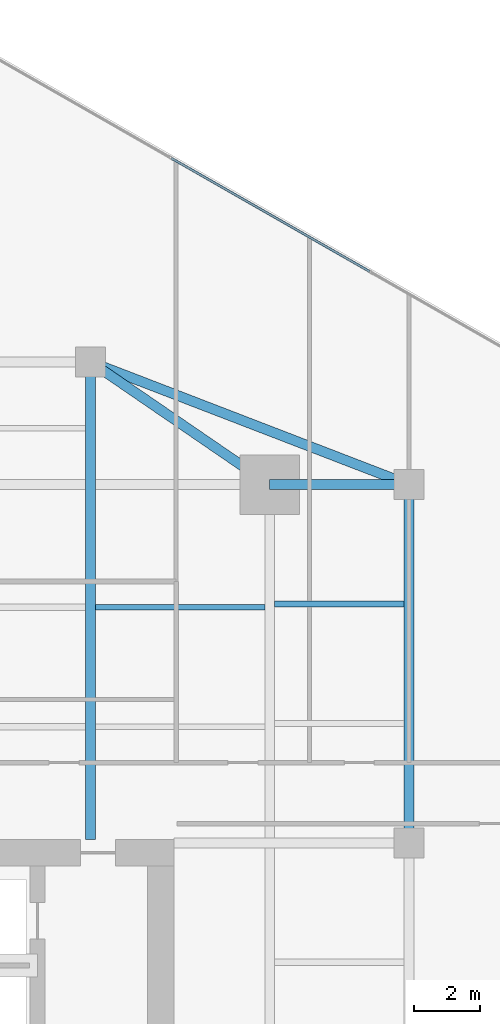
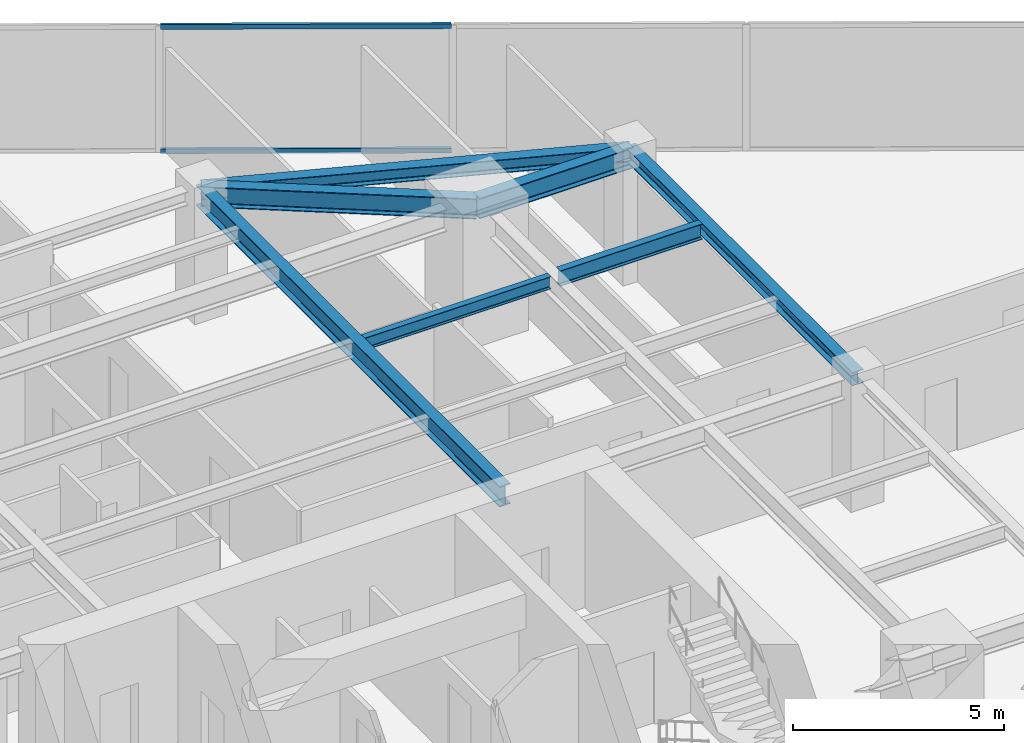
# One storey, part 16 of 24: 7 beams, 2 members, 1 element without a shape of its own.
"""IFC4 building model written with IfcOpenShell, lengths in metres."""

from ifc_helpers import new_model, si_unit, direction, frame, origin, origin_2d, place, context, subcontext, project, spatial, hollow_rectangle, i_section, extrude, source, transform, mapped, material, material_profile, profile_set, type_object, type_shapes, element, aggregate, save


model = new_model("IFC4")

# Units and contexts
model_context = context("Model", 3, precision=1e-05, world=origin(), true_north=direction((0.0, 1.0)))
body_context = subcontext(model_context, "Body", "Model", "MODEL_VIEW")
ifc_project = project(units=[si_unit("LENGTHUNIT", "METRE"), si_unit("AREAUNIT", "SQUARE_METRE"), si_unit("VOLUMEUNIT", "CUBIC_METRE"), si_unit("PLANEANGLEUNIT", "RADIAN"), si_unit("MASSUNIT", "GRAM", prefix="KILO")], contexts=[model_context])

# Site, building, storey
site_placement = place(None, origin())
site = spatial("IfcSite", under=ifc_project, at=site_placement, CompositionType="ELEMENT")
building_placement = place(site_placement, origin())
building = spatial("IfcBuilding", under=site, at=building_placement, Name="Krantzveldt Concourse Tower", CompositionType="ELEMENT")
storey_placement = place(building_placement, frame((0.0, 0.0, 162.0)))
storey = spatial("IfcBuildingStorey", under=building, at=storey_placement, Name="L39", CompositionType="ELEMENT", Elevation=162.0)

# Beams
ifc_material_1 = material(Name="Steel S355JR", Category="steel")
ifc_material_profile_1 = material_profile(ifc_material_1, i_section(OverallWidth=0.300048828125, OverallDepth=0.590087890625, WebThickness=0.012939453125, FlangeThickness=0.02490234375, FilletRadius=0.027099609375, at=origin_2d()), Name="Steel S355JR", Category="steel")
ifc_profile_set_1 = profile_set([ifc_material_profile_1], Name="Steel S355JR - HEA 600")
beam_type_1 = type_object("IfcBeamType", Name="BM-B-HEA600", PredefinedType="BEAM", material=ifc_profile_set_1)
shared_shape_1 = source(origin(), body_context, "Body", "SweptSolid", [
    extrude(i_section(OverallWidth=0.300048828125, OverallDepth=0.590087890625, WebThickness=0.012939453125, FlangeThickness=0.02490234375, FilletRadius=0.027099609375, at=origin_2d()), origin(), (0.0, 0.0, 1.0), 14.39990234375),
])
beam_1_placement = place(storey_placement, frame((41.39990234375, 26.800048828125, 3.375), z_axis=(0.0, 1.0, 0.0), x_axis=(-1.0, 0.0, 0.0)))
element("IfcBeam", 1, at=beam_1_placement, inside=storey, type_object=beam_type_1, Name="L39 Tower Girder BG-CNE", PredefinedType="BEAM", context=body_context, shape_type="MappedRepresentation", body=[
    mapped(shared_shape_1, transform((0.0, 0.0, 0.0), x_axis=(1.0, 0.0, 0.0), y_axis=(0.0, 1.0, 0.0), z_axis=(0.0, 0.0, 1.0), scale=1.0)),
])
shared_shape_2 = source(origin(), body_context, "Body", "SweptSolid", [
    extrude(i_section(OverallWidth=0.300048828125, OverallDepth=0.590087890625, WebThickness=0.012939453125, FlangeThickness=0.02490234375, FilletRadius=0.027099609375, at=origin_2d()), origin(), (0.0, 0.0, 1.0), 4.199951171875),
])
beam_2_placement = place(storey_placement, frame((46.800048828125, 37.5, 3.375), z_axis=(1.0, 0.0, 0.0), x_axis=(0.0, 1.0, 0.0)))
element("IfcBeam", 2, at=beam_2_placement, inside=storey, type_object=beam_type_1, Name="L39 Tower Girder BR-RR3", PredefinedType="BEAM", context=body_context, shape_type="MappedRepresentation", body=[
    mapped(shared_shape_2, transform((0.0, 0.0, 0.0), x_axis=(1.0, 0.0, 0.0), y_axis=(0.0, 1.0, 0.0), z_axis=(0.0, 0.0, 1.0), scale=1.0)),
])
shared_shape_3 = source(origin(), body_context, "Body", "SweptSolid", [
    extrude(i_section(OverallWidth=0.300048828125, OverallDepth=0.590087890625, WebThickness=0.012939453125, FlangeThickness=0.02490234375, FilletRadius=0.027099609375, at=origin_2d()), origin(), (0.0, 0.0, 1.0), 6.546142578125),
])
type_shapes(beam_type_1, [shared_shape_1, shared_shape_2, shared_shape_3])
beam_3_placement = place(storey_placement, frame((46.800048828125, 37.5, 3.375), z_axis=(-0.824942999484, 0.565215930068, 0.0), x_axis=(-0.565215930068, -0.824942999484, 0.0)))
element("IfcBeam", 3, at=beam_3_placement, inside=storey, type_object=beam_type_1, Name="L39 Tower Girder BR-RR4", PredefinedType="BEAM", context=body_context, shape_type="MappedRepresentation", body=[
    mapped(shared_shape_3, transform((0.0, 0.0, 0.0), x_axis=(1.0, 0.0, 0.0), y_axis=(0.0, 1.0, 0.0), z_axis=(0.0, 0.0, 1.0), scale=1.0)),
])
ifc_material_profile_2 = material_profile(ifc_material_1, i_section(OverallWidth=0.300048828125, OverallDepth=0.389892578125, WebThickness=0.010986328125, FlangeThickness=0.01904296875, FilletRadius=0.027099609375, at=origin_2d()), Name="Steel S355JR", Category="steel")
ifc_profile_set_2 = profile_set([ifc_material_profile_2], Name="Steel S355JR - HEA 400")
beam_type_2 = type_object("IfcBeamType", Name="BM-SP-HEA400", PredefinedType="SPANDREL", material=ifc_profile_set_2)
shared_shape_4 = source(origin(), body_context, "Body", "SweptSolid", [
    extrude(i_section(OverallWidth=0.300048828125, OverallDepth=0.389892578125, WebThickness=0.010986328125, FlangeThickness=0.01904296875, FilletRadius=0.027099609375, at=origin_2d()), origin(), (0.0, 0.0, 1.0), 10.800048828125),
])
beam_4_placement = place(storey_placement, frame((51.0, 37.5, 3.47509765625), z_axis=(0.0, -1.0, 0.0), x_axis=(1.0, 0.0, 0.0)))
element("IfcBeam", 4, at=beam_4_placement, inside=storey, type_object=beam_type_2, Name="L39 Tower Girder SP-R06", PredefinedType="SPANDREL", context=body_context, shape_type="MappedRepresentation", body=[
    mapped(shared_shape_4, transform((0.0, 0.0, 0.0), x_axis=(1.0, 0.0, 0.0), y_axis=(0.0, 1.0, 0.0), z_axis=(0.0, 0.0, 1.0), scale=1.0)),
])
shared_shape_5 = source(origin(), body_context, "Body", "SweptSolid", [
    extrude(i_section(OverallWidth=0.300048828125, OverallDepth=0.389892578125, WebThickness=0.010986328125, FlangeThickness=0.01904296875, FilletRadius=0.027099609375, at=origin_2d()), origin(), (0.0, 0.0, 1.0), 10.288330078125),
])
type_shapes(beam_type_2, [shared_shape_4, shared_shape_5])
beam_5_placement = place(storey_placement, frame((41.39990234375, 41.199951171875, 3.47509765625), z_axis=(0.933097690408, -0.359622997257, 0.0), x_axis=(0.359622997257, 0.933097690408, 0.0)))
element("IfcBeam", 5, at=beam_5_placement, inside=storey, type_object=beam_type_2, Name="L39 Tower Girder SP-R05", PredefinedType="SPANDREL", context=body_context, shape_type="MappedRepresentation", body=[
    mapped(shared_shape_5, transform((0.0, 0.0, 0.0), x_axis=(1.0, 0.0, 0.0), y_axis=(0.0, 1.0, 0.0), z_axis=(0.0, 0.0, 1.0), scale=1.0)),
])
ifc_material_profile_3 = material_profile(ifc_material_1, i_section(OverallWidth=0.169921875, OverallDepth=0.360107421875, WebThickness=0.008056640625, FlangeThickness=0.0126953125, FilletRadius=0.01806640625, at=origin_2d()), Name="Steel S355JR", Category="steel")
ifc_profile_set_3 = profile_set([ifc_material_profile_3], Name="Steel S355JR - IPE 360")
beam_type_3 = type_object("IfcBeamType", Name="BM-J-IPE360", PredefinedType="JOIST", material=ifc_profile_set_3)
shared_shape_6 = source(origin(), body_context, "Body", "SweptSolid", [
    extrude(i_section(OverallWidth=0.169921875, OverallDepth=0.360107421875, WebThickness=0.008056640625, FlangeThickness=0.0126953125, FilletRadius=0.01806640625, at=origin_2d()), origin(), (0.0, 0.0, 1.0), 5.099853515625),
])
type_shapes(beam_type_3, [shared_shape_6])
beam_6_placement = place(storey_placement, frame((41.550048828125, 33.800048828125, 3.489990234375), z_axis=(1.0, 0.0, 0.0), x_axis=(0.0, 1.0, 0.0)))
element("IfcBeam", 6, at=beam_6_placement, inside=storey, type_object=beam_type_3, Name="L39 Secondary Floor Joist JN-E2", PredefinedType="JOIST", context=body_context, shape_type="MappedRepresentation", body=[
    mapped(shared_shape_6, transform((0.0, 0.0, 0.0), x_axis=(1.0, 0.0, 0.0), y_axis=(0.0, 1.0, 0.0), z_axis=(0.0, 0.0, 1.0), scale=1.0)),
])
ifc_material_profile_4 = material_profile(ifc_material_1, i_section(OverallWidth=0.18994140625, OverallDepth=0.449951171875, WebThickness=0.009521484375, FlangeThickness=0.0146484375, FilletRadius=0.02099609375, at=origin_2d()), Name="Steel S355JR", Category="steel")
ifc_profile_set_4 = profile_set([ifc_material_profile_4], Name="Steel S355JR - IPE 450")
beam_type_4 = type_object("IfcBeamType", Name="BM-J-IPE450", PredefinedType="JOIST", material=ifc_profile_set_4)
shared_shape_7 = source(origin(), body_context, "Body", "SweptSolid", [
    extrude(i_section(OverallWidth=0.18994140625, OverallDepth=0.449951171875, WebThickness=0.009521484375, FlangeThickness=0.0146484375, FilletRadius=0.02099609375, at=origin_2d()), origin(), (0.0, 0.0, 1.0), 3.900146484375),
])
type_shapes(beam_type_4, [shared_shape_7])
beam_7_placement = place(storey_placement, frame((46.949951171875, 33.89990234375, 3.445068359375), z_axis=(1.0, 0.0, 0.0), x_axis=(0.0, 1.0, 0.0)))
element("IfcBeam", 7, at=beam_7_placement, inside=storey, type_object=beam_type_4, Name="L39 Secondary Floor Joist JE-4", PredefinedType="JOIST", context=body_context, shape_type="MappedRepresentation", body=[
    mapped(shared_shape_7, transform((0.0, 0.0, 0.0), x_axis=(1.0, 0.0, 0.0), y_axis=(0.0, 1.0, 0.0), z_axis=(0.0, 0.0, 1.0), scale=1.0)),
])

# Curtain wall, members
ifc_material_2 = material(Name="Anodised aluminium 6063-T6", Category="aluminium")
curtain_wall_type = type_object("IfcCurtainWallType", Name="CW3", PredefinedType="USERDEFINED", material=ifc_material_2)
curtain_wall_placement = place(storey_placement, origin())
curtain_wall = element("IfcCurtainWall", 8, at=curtain_wall_placement, inside=storey, type_object=curtain_wall_type, Name="CW-L39-F14", ObjectType="UNITISED CURTAIN WALL", PredefinedType="USERDEFINED")
ifc_material_profile_5 = material_profile(ifc_material_2, hollow_rectangle(XDim=0.070068359375, YDim=0.139892578125, WallThickness=0.0048828125, at=origin_2d()), Name="Anodised aluminium 6063-T6", Category="aluminium")
ifc_profile_set_5 = profile_set([ifc_material_profile_5], Name="Anodised aluminium 6063-T6 - ALU-TRAN 140x70x5")
member_type = type_object("IfcMemberType", Name="CW-TRN-150", PredefinedType="USERDEFINED", material=ifc_profile_set_5)
shared_shape_8 = source(origin(), body_context, "Body", "SweptSolid", [
    extrude(hollow_rectangle(XDim=0.070068359375, YDim=0.139892578125, WallThickness=0.0048828125, at=origin_2d()), origin(), (0.0, 0.0, 1.0), 6.89013671875),
])
type_shapes(member_type, [shared_shape_8])
member_1_placement = place(storey_placement, frame((49.8134765625, 43.926025390625, 0.034912109375), z_axis=(-0.868199527911, 0.496215255443, 0.0), x_axis=(-0.496215255443, -0.868199527911, 0.0)))
member_1 = element("IfcMember", 9, at=member_1_placement, type_object=member_type, Name="CW-Z34 transom 3.1", ObjectType="TRANSOM", PredefinedType="USERDEFINED", context=body_context, shape_type="MappedRepresentation", body=[
    mapped(shared_shape_8, transform((0.0, 0.0, 0.0), x_axis=(1.0, 0.0, 0.0), y_axis=(0.0, 1.0, 0.0), z_axis=(0.0, 0.0, 1.0), scale=1.0)),
])
member_2_placement = place(storey_placement, frame((49.8134765625, 43.926025390625, 3.635009765625), z_axis=(-0.868199527911, 0.496215255443, 0.0), x_axis=(-0.496215255443, -0.868199527911, 0.0)))
member_2 = element("IfcMember", 10, at=member_2_placement, type_object=member_type, Name="CW-Z34 transom 3.2", ObjectType="TRANSOM", PredefinedType="USERDEFINED", context=body_context, shape_type="MappedRepresentation", body=[
    mapped(shared_shape_8, transform((0.0, 0.0, 0.0), x_axis=(1.0, 0.0, 0.0), y_axis=(0.0, 1.0, 0.0), z_axis=(0.0, 0.0, 1.0), scale=1.0)),
])
aggregate(curtain_wall, [member_1, member_2])

save(model, "model.ifc")
